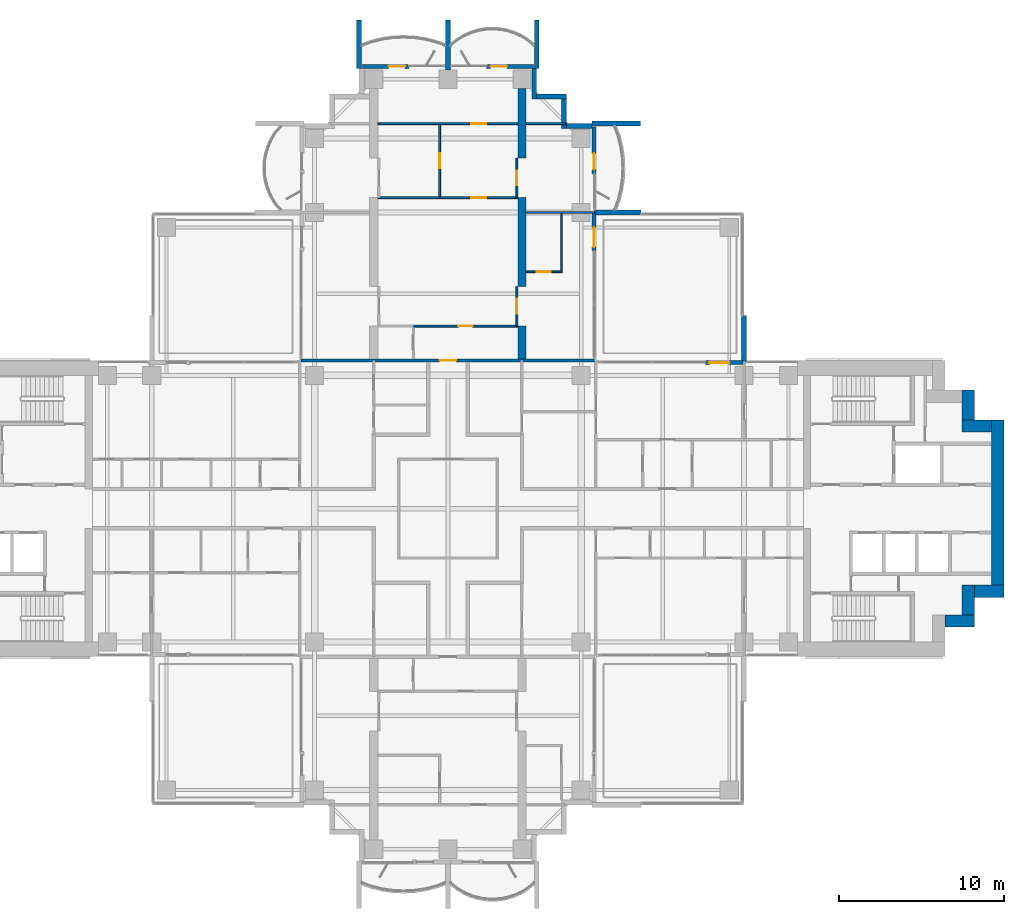
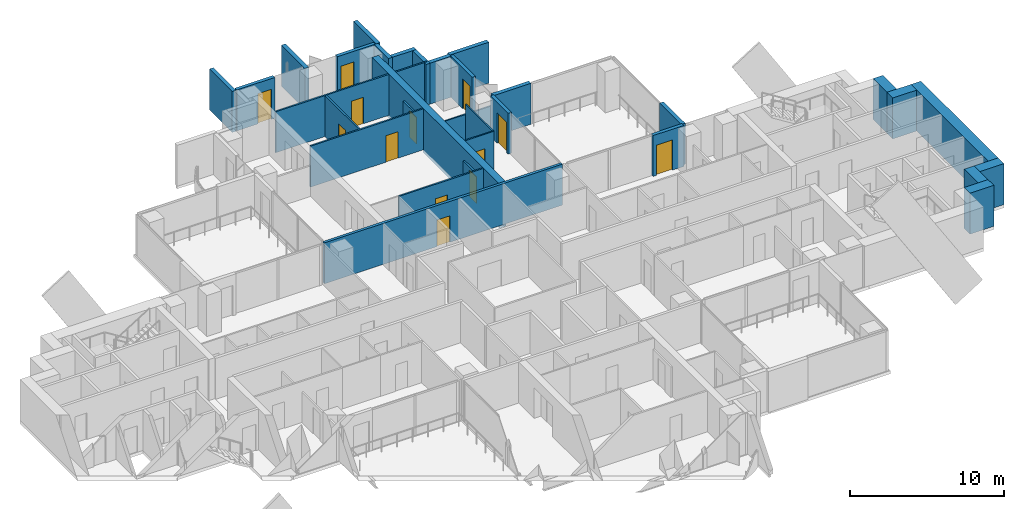
# One storey, part 14 of 19: 34 walls, 13 doors, 13 openings.
"""IFC4 building model written with IfcOpenShell, lengths in metres."""

from ifc_helpers import new_model, si_unit, direction, frame, frame_2d, origin, place, context, subcontext, project, spatial, polyline, rectangle, outline, extrude, material, layer, layer_set, material_profile, profile_set, type_object, element, fill, save


model = new_model("IFC4")

# Units and contexts
model_context = context("Model", 3, precision=1e-05, world=origin(), true_north=direction((0.0, 1.0)))
body_context = subcontext(model_context, "Body", "Model", "MODEL_VIEW")
ifc_project = project(units=[si_unit("LENGTHUNIT", "METRE"), si_unit("AREAUNIT", "SQUARE_METRE"), si_unit("VOLUMEUNIT", "CUBIC_METRE"), si_unit("PLANEANGLEUNIT", "RADIAN"), si_unit("MASSUNIT", "GRAM", prefix="KILO")], contexts=[model_context])

# Site, building, storey
site_placement = place(None, origin())
site = spatial("IfcSite", under=ifc_project, at=site_placement, CompositionType="ELEMENT")
building_placement = place(site_placement, origin())
building = spatial("IfcBuilding", under=site, at=building_placement, Name="Perihelion Cross Residences", CompositionType="ELEMENT")
storey_placement = place(building_placement, frame((0.0, 0.0, 126.89990234375)))
storey = spatial("IfcBuildingStorey", under=building, at=storey_placement, Name="L30", CompositionType="ELEMENT", Elevation=126.89990234375)

# Wall, opening, door
ifc_material_1 = material(Name="Plasterboard partition")
ifc_layer_1 = layer(ifc_material_1, 0.199951171875)
ifc_layer_set_1 = layer_set([ifc_layer_1], Name="Apartment separation wall 200")
wall_type_1 = type_object("IfcWallType", Name="Apartment separation wall 200", PredefinedType="PARTITIONING", material=ifc_layer_set_1)
wall_1_placement = place(storey_placement, frame((-8.919921875, 9.0, 0.0), z_axis=(0.0, 0.0, 1.0), x_axis=(1.0, 0.0, 0.0)))
wall_1 = element("IfcWall", 1, at=wall_1_placement, inside=storey, type_object=wall_type_1, Name="Partition L30 W021", PredefinedType="PARTITIONING", context=body_context, shape_type="SweptSolid", body=[
    extrude(rectangle(XDim=17.83984375, YDim=0.199951171875, at=frame_2d((8.919921875, 0.0))), origin(), (0.0, 0.0, 1.0), 3.25),
])
opening_1_placement = place(wall_1_placement, frame((8.419921875, 0.0, 0.0)))
opening_1 = element("IfcOpeningElement", 2, at=opening_1_placement, cuts=wall_1, Name="Opening L30.A32", PredefinedType="OPENING", context=body_context, shape_type="SweptSolid", body=[
    extrude(rectangle(XDim=1.0, YDim=2.10009765625, at=frame_2d((0.5, 1.050048828125))), frame((0.0, 0.10986328125, 0.0), z_axis=(0.0, -1.0, 0.0), x_axis=(1.0, 0.0, 0.0)), (0.0, 0.0, 1.0), 0.219970703125),
])
ifc_material_2 = material(Name="Timber door leaf", Category="wood")
door_type_1 = type_object("IfcDoorType", Name="Flat entrance door 1000 x 2100", OperationType="SINGLE_SWING_LEFT", PredefinedType="DOOR", material=ifc_material_2)
door_1_placement = place(opening_1_placement, origin())
door_1 = element("IfcDoor", 3, at=door_1_placement, inside=storey, type_object=door_type_1, Name="Door L30.A32", OperationType="SINGLE_SWING_RIGHT", OverallHeight=2.10009765625, OverallWidth=1.0, PredefinedType="DOOR", context=body_context, shape_type="SweptSolid", body=[
    extrude(rectangle(XDim=1.0, YDim=2.10009765625, at=frame_2d((0.5, 1.050048828125))), frame((0.0, 0.02490234375, 0.0), z_axis=(0.0, -1.0, 0.0), x_axis=(1.0, 0.0, 0.0)), (0.0, 0.0, 1.0), 0.050048828125),
])
fill(opening_1, door_1)

ifc_material_3 = material(Name="Concrete C30/37, bronze-clad", Category="concrete")
ifc_layer_2 = layer(ifc_material_3, 0.25)
ifc_layer_set_2 = layer_set([ifc_layer_2], Name="Bronze-clad pier wall 250")
wall_type_2 = type_object("IfcWallType", Name="Bronze-clad pier wall 250", PredefinedType="SOLIDWALL", material=ifc_layer_set_2)
wall_2_placement = place(storey_placement, frame((17.93994140625, 8.875, 0.0), z_axis=(0.0, 0.0, 1.0), x_axis=(-1.0, 0.0, 0.0)))
wall_2 = element("IfcWall", 4, at=wall_2_placement, inside=storey, type_object=wall_type_2, Name="Wall FW1 L30 east side north bay 2 pier", PredefinedType="SOLIDWALL", context=body_context, shape_type="SweptSolid", body=[
    extrude(rectangle(XDim=2.2900390625, YDim=0.25, at=frame_2d((1.14501953125, 0.0))), origin(), (0.0, 0.0, 1.0), 3.25),
])
opening_2_placement = place(wall_2_placement, frame((0.840087890625, 0.0, 0.0)))
opening_2 = element("IfcOpeningElement", 5, at=opening_2_placement, cuts=wall_2, Name="Opening L30.E01", PredefinedType="OPENING", context=body_context, shape_type="SweptSolid", body=[
    extrude(rectangle(XDim=1.199951171875, YDim=2.39990234375, at=frame_2d((0.60009765625, 1.199951171875))), frame((0.0, 0.135009765625, 0.0), z_axis=(0.0, -1.0, 0.0), x_axis=(1.0, 0.0, 0.0)), (0.0, 0.0, 1.0), 0.27001953125),
])
ifc_material_4 = material(Name="Bronze anodised aluminium, glazed", Category="aluminium")
door_type_2 = type_object("IfcDoorType", Name="Balcony door 1200 x 2400", OperationType="NOTDEFINED", PredefinedType="DOOR", material=ifc_material_4)
door_2_placement = place(opening_2_placement, origin())
door_2 = element("IfcDoor", 6, at=door_2_placement, inside=storey, type_object=door_type_2, Name="Door L30.E01 east side north bay 2", OperationType="SINGLE_SWING_RIGHT", OverallHeight=2.39990234375, OverallWidth=1.199951171875, PredefinedType="DOOR", context=body_context, shape_type="SweptSolid", body=[
    extrude(rectangle(XDim=1.199951171875, YDim=2.39990234375, at=frame_2d((0.60009765625, 1.199951171875))), frame((0.0, 0.02490234375, 0.0), z_axis=(0.0, -1.0, 0.0), x_axis=(1.0, 0.0, 0.0)), (0.0, 0.0, 1.0), 0.050048828125),
])
fill(opening_2, door_2)

wall_3_placement = place(storey_placement, frame((8.875, 15.64990234375, 0.0), z_axis=(0.0, 0.0, 1.0), x_axis=(0.0, 1.0, 0.0)))
wall_3 = element("IfcWall", 7, at=wall_3_placement, inside=storey, type_object=wall_type_2, Name="Wall FW1 L30 north side east bay 1 pier", PredefinedType="SOLIDWALL", context=body_context, shape_type="SweptSolid", body=[
    extrude(rectangle(XDim=2.2900390625, YDim=0.25, at=frame_2d((1.14501953125, 0.0))), origin(), (0.0, 0.0, 1.0), 3.25),
])
opening_3_placement = place(wall_3_placement, frame((0.25, 0.0, 0.0)))
opening_3 = element("IfcOpeningElement", 8, at=opening_3_placement, cuts=wall_3, Name="Opening L30.E02", PredefinedType="OPENING", context=body_context, shape_type="SweptSolid", body=[
    extrude(rectangle(XDim=1.199951171875, YDim=2.39990234375, at=frame_2d((0.60009765625, 1.199951171875))), frame((0.0, 0.135009765625, 0.0), z_axis=(0.0, -1.0, 0.0), x_axis=(1.0, 0.0, 0.0)), (0.0, 0.0, 1.0), 0.27001953125),
])
door_3_placement = place(opening_3_placement, origin())
door_3 = element("IfcDoor", 9, at=door_3_placement, inside=storey, type_object=door_type_2, Name="Door L30.E02 north side east bay 1", OperationType="SINGLE_SWING_LEFT", OverallHeight=2.39990234375, OverallWidth=1.199951171875, PredefinedType="DOOR", context=body_context, shape_type="SweptSolid", body=[
    extrude(rectangle(XDim=1.199951171875, YDim=2.39990234375, at=frame_2d((0.60009765625, 1.199951171875))), frame((0.0, 0.02490234375, 0.0), z_axis=(0.0, -1.0, 0.0), x_axis=(1.0, 0.0, 0.0)), (0.0, 0.0, 1.0), 0.050048828125),
])
fill(opening_3, door_3)

wall_4_placement = place(storey_placement, frame((8.875, 20.35009765625, 0.0), z_axis=(0.0, 0.0, 1.0), x_axis=(0.0, 1.0, 0.0)))
wall_4 = element("IfcWall", 10, at=wall_4_placement, inside=storey, type_object=wall_type_2, Name="Wall FW1 L30 north side east bay 2 pier", PredefinedType="SOLIDWALL", context=body_context, shape_type="SweptSolid", body=[
    extrude(rectangle(XDim=2.849853515625, YDim=0.25, at=frame_2d((1.4248046875, 0.0))), origin(), (0.0, 0.0, 1.0), 3.25),
])
opening_4_placement = place(wall_4_placement, frame((0.25, 0.0, 0.0)))
opening_4 = element("IfcOpeningElement", 11, at=opening_4_placement, cuts=wall_4, Name="Opening L30.E03", PredefinedType="OPENING", context=body_context, shape_type="SweptSolid", body=[
    extrude(rectangle(XDim=1.0, YDim=2.39990234375, at=frame_2d((0.5, 1.199951171875))), frame((0.0, 0.135009765625, 0.0), z_axis=(0.0, -1.0, 0.0), x_axis=(1.0, 0.0, 0.0)), (0.0, 0.0, 1.0), 0.27001953125),
])
ifc_material_5 = material(Name="Bronze anodised aluminium, glazed", Category="aluminium")
door_type_3 = type_object("IfcDoorType", Name="Balcony door 1000 x 2400", OperationType="NOTDEFINED", PredefinedType="DOOR", material=ifc_material_5)
door_4_placement = place(opening_4_placement, origin())
door_4 = element("IfcDoor", 12, at=door_4_placement, inside=storey, type_object=door_type_3, Name="Door L30.E03 north side east bay 2", OperationType="SINGLE_SWING_RIGHT", OverallHeight=2.39990234375, OverallWidth=1.0, PredefinedType="DOOR", context=body_context, shape_type="SweptSolid", body=[
    extrude(rectangle(XDim=1.0, YDim=2.39990234375, at=frame_2d((0.5, 1.199951171875))), frame((0.0, 0.02490234375, 0.0), z_axis=(0.0, -1.0, 0.0), x_axis=(1.0, 0.0, 0.0)), (0.0, 0.0, 1.0), 0.050048828125),
])
fill(opening_4, door_4)

wall_5_placement = place(storey_placement, frame((5.199951171875, 26.875, 0.0), z_axis=(0.0, 0.0, 1.0), x_axis=(-1.0, 0.0, 0.0)))
wall_5 = element("IfcWall", 13, at=wall_5_placement, inside=storey, type_object=wall_type_2, Name="Wall FW1 L30 north tip north bay 1 pier", PredefinedType="SOLIDWALL", context=body_context, shape_type="SweptSolid", body=[
    extrude(rectangle(XDim=2.849853515625, YDim=0.25, at=frame_2d((1.4248046875, 0.0))), origin(), (0.0, 0.0, 1.0), 3.25),
])
opening_5_placement = place(wall_5_placement, frame((1.60009765625, 0.0, 0.0)))
opening_5 = element("IfcOpeningElement", 14, at=opening_5_placement, cuts=wall_5, Name="Opening L30.E04", PredefinedType="OPENING", context=body_context, shape_type="SweptSolid", body=[
    extrude(rectangle(XDim=1.0, YDim=2.39990234375, at=frame_2d((0.5, 1.199951171875))), frame((0.0, 0.135009765625, 0.0), z_axis=(0.0, -1.0, 0.0), x_axis=(1.0, 0.0, 0.0)), (0.0, 0.0, 1.0), 0.27001953125),
])
door_5_placement = place(opening_5_placement, origin())
door_5 = element("IfcDoor", 15, at=door_5_placement, inside=storey, type_object=door_type_3, Name="Door L30.E04 north tip north bay 1", OperationType="SINGLE_SWING_LEFT", OverallHeight=2.39990234375, OverallWidth=1.0, PredefinedType="DOOR", context=body_context, shape_type="SweptSolid", body=[
    extrude(rectangle(XDim=1.0, YDim=2.39990234375, at=frame_2d((0.5, 1.199951171875))), frame((0.0, 0.02490234375, 0.0), z_axis=(0.0, -1.0, 0.0), x_axis=(1.0, 0.0, 0.0)), (0.0, 0.0, 1.0), 0.050048828125),
])
fill(opening_5, door_5)

wall_6_placement = place(storey_placement, frame((-2.35009765625, 26.875, 0.0), z_axis=(0.0, 0.0, 1.0), x_axis=(-1.0, 0.0, 0.0)))
wall_6 = element("IfcWall", 16, at=wall_6_placement, inside=storey, type_object=wall_type_2, Name="Wall FW1 L30 north tip north bay 2 pier", PredefinedType="SOLIDWALL", context=body_context, shape_type="SweptSolid", body=[
    extrude(rectangle(XDim=2.849853515625, YDim=0.25, at=frame_2d((1.4248046875, 0.0))), origin(), (0.0, 0.0, 1.0), 3.25),
])
opening_6_placement = place(wall_6_placement, frame((0.25, 0.0, 0.0)))
opening_6 = element("IfcOpeningElement", 17, at=opening_6_placement, cuts=wall_6, Name="Opening L30.E05", PredefinedType="OPENING", context=body_context, shape_type="SweptSolid", body=[
    extrude(rectangle(XDim=1.0, YDim=2.39990234375, at=frame_2d((0.5, 1.199951171875))), frame((0.0, 0.135009765625, 0.0), z_axis=(0.0, -1.0, 0.0), x_axis=(1.0, 0.0, 0.0)), (0.0, 0.0, 1.0), 0.27001953125),
])
door_6_placement = place(opening_6_placement, origin())
door_6 = element("IfcDoor", 18, at=door_6_placement, inside=storey, type_object=door_type_3, Name="Door L30.E05 north tip north bay 2", OperationType="SINGLE_SWING_RIGHT", OverallHeight=2.39990234375, OverallWidth=1.0, PredefinedType="DOOR", context=body_context, shape_type="SweptSolid", body=[
    extrude(rectangle(XDim=1.0, YDim=2.39990234375, at=frame_2d((0.5, 1.199951171875))), frame((0.0, 0.02490234375, 0.0), z_axis=(0.0, -1.0, 0.0), x_axis=(1.0, 0.0, 0.0)), (0.0, 0.0, 1.0), 0.050048828125),
])
fill(opening_6, door_6)

# Walls
ifc_material_6 = material(Name="Concrete C30/37, bronze-clad", Category="concrete")
ifc_layer_3 = layer(ifc_material_6, 0.300048828125)
ifc_layer_set_3 = layer_set([ifc_layer_3], Name="Bronze-clad serration wall 300")
wall_type_3 = type_object("IfcWallType", Name="Bronze-clad serration wall 300", PredefinedType="SOLIDWALL", material=ifc_layer_set_3)
wall_7_placement = place(storey_placement, frame((8.75, 23.25, 0.0), z_axis=(0.0, 0.0, 1.0), x_axis=(-1.0, 0.0, 0.0)))
element("IfcWall", 19, at=wall_7_placement, inside=storey, type_object=wall_type_3, Name="Wall SR1 L30 north corner north-east 1", PredefinedType="SOLIDWALL", context=body_context, shape_type="SweptSolid", body=[
    extrude(rectangle(XDim=1.550048828125, YDim=0.300048828125, at=frame_2d((0.77490234375, 0.0))), origin(), (0.0, 0.0, 1.0), 3.25),
])
wall_8_placement = place(storey_placement, frame((7.050048828125, 23.10009765625, 0.0), z_axis=(0.0, 0.0, 1.0), x_axis=(0.0, 1.0, 0.0)))
element("IfcWall", 20, at=wall_8_placement, inside=storey, type_object=wall_type_3, Name="Wall SR1 L30 north corner north-east 2", PredefinedType="SOLIDWALL", context=body_context, shape_type="SweptSolid", body=[
    extrude(rectangle(XDim=1.7998046875, YDim=0.300048828125, at=frame_2d((0.89990234375, 0.0))), origin(), (0.0, 0.0, 1.0), 3.25),
])
wall_9_placement = place(storey_placement, frame((7.199951171875, 25.050048828125, 0.0), z_axis=(0.0, 0.0, 1.0), x_axis=(-1.0, 0.0, 0.0)))
element("IfcWall", 21, at=wall_9_placement, inside=storey, type_object=wall_type_3, Name="Wall SR1 L30 north corner north-east 3", PredefinedType="SOLIDWALL", context=body_context, shape_type="SweptSolid", body=[
    extrude(rectangle(XDim=1.800048828125, YDim=0.300048828125, at=frame_2d((0.89990234375, 0.0))), origin(), (0.0, 0.0, 1.0), 3.25),
])
wall_10_placement = place(storey_placement, frame((5.25, 24.89990234375, 0.0), z_axis=(0.0, 0.0, 1.0), x_axis=(0.0, 1.0, 0.0)))
element("IfcWall", 22, at=wall_10_placement, inside=storey, type_object=wall_type_3, Name="Wall SR1 L30 north corner north-east 4", PredefinedType="SOLIDWALL", context=body_context, shape_type="SweptSolid", body=[
    extrude(rectangle(XDim=1.85009765625, YDim=0.300048828125, at=frame_2d((0.925048828125, 0.0))), origin(), (0.0, 0.0, 1.0), 3.25),
])
ifc_material_7 = material(Name="Concrete C60/75", Category="concrete")
ifc_layer_4 = layer(ifc_material_7, 0.75)
ifc_layer_set_4 = layer_set([ifc_layer_4], Name="Core wall, outer 750")
wall_type_4 = type_object("IfcWallType", Name="Core wall, outer 750", PredefinedType="SHEAR", material=ifc_layer_set_4)
for number, where, z_axis, x_axis, name in (
    (23, (30.199951171875, -6.824951171875, 0.0), (0.0, 0.0, 1.0), (1.0, 0.0, 0.0), "East core core wall, outer"),
    (24, (31.625, -6.449951171875, 0.0), (0.0, 0.0, 1.0), (0.0, 1.0, 0.0), "East core core wall, outer"),
    (25, (32.0, -5.02490234375, 0.0), (0.0, 0.0, 1.0), (1.0, 0.0, 0.0), "East core core wall, outer"),
):
    element("IfcWall", number, at=place(storey_placement, frame(where, z_axis=z_axis, x_axis=x_axis)), inside=storey, type_object=wall_type_4, Name=name, PredefinedType="SHEAR", context=body_context, shape_type="SweptSolid", body=[
        extrude(rectangle(XDim=1.800048828125, YDim=0.75, at=frame_2d((0.89990234375, 0.0))), origin(), (0.0, 0.0, 1.0), 3.25),
    ])
wall_11_placement = place(storey_placement, frame((33.425048828125, -4.64990234375, 0.0), z_axis=(0.0, 0.0, 1.0), x_axis=(0.0, 1.0, 0.0)))
element("IfcWall", 26, at=wall_11_placement, inside=storey, type_object=wall_type_4, Name="East core core wall, outer", PredefinedType="SHEAR", context=body_context, shape_type="SweptSolid", body=[
    extrude(rectangle(XDim=10.0498046875, YDim=0.75, at=frame_2d((5.02490234375, 0.0))), origin(), (0.0, 0.0, 1.0), 3.25),
])
for number, where, z_axis, x_axis, name in (
    (27, (31.25, 5.02490234375, 0.0), (0.0, 0.0, 1.0), (1.0, 0.0, 0.0), "East core core wall, outer"),
    (28, (31.625, 5.39990234375, 0.0), (0.0, 0.0, 1.0), (0.0, 1.0, 0.0), "East core core wall, outer"),
):
    element("IfcWall", number, at=place(storey_placement, frame(where, z_axis=z_axis, x_axis=x_axis)), inside=storey, type_object=wall_type_4, Name=name, PredefinedType="SHEAR", context=body_context, shape_type="SweptSolid", body=[
        extrude(rectangle(XDim=1.800048828125, YDim=0.75, at=frame_2d((0.89990234375, 0.0))), origin(), (0.0, 0.0, 1.0), 3.25),
    ])

# Wall, opening, door
ifc_material_8 = material(Name="Plasterboard partition")
ifc_layer_5 = layer(ifc_material_8, 0.1201171875)
ifc_layer_set_5 = layer_set([ifc_layer_5], Name="Infill panel 120")
wall_type_5 = type_object("IfcWallType", Name="Infill panel 120", PredefinedType="PARTITIONING", material=ifc_layer_set_5)
wall_12_placement = place(storey_placement, frame((4.18994140625, 11.10009765625, 0.0), z_axis=(0.0, 0.0, 1.0), x_axis=(0.0, 1.0, 0.0)))
wall_12 = element("IfcWall", 29, at=wall_12_placement, inside=storey, type_object=wall_type_5, Name="Partition L30 WI01", PredefinedType="PARTITIONING", context=body_context, shape_type="SweptSolid", body=[
    extrude(rectangle(XDim=2.39990234375, YDim=0.1201171875, at=frame_2d((1.199951171875, 0.0))), origin(), (0.0, 0.0, 1.0), 2.400146484375),
])
opening_7_placement = place(wall_12_placement, frame((0.75, 0.0, 0.0)))
opening_7 = element("IfcOpeningElement", 30, at=opening_7_placement, cuts=wall_12, Name="Opening L30.A49", PredefinedType="OPENING", context=body_context, shape_type="SweptSolid", body=[
    extrude(rectangle(XDim=0.89990234375, YDim=2.10009765625, at=frame_2d((0.449951171875, 1.050048828125))), frame((0.0, 0.070068359375, 0.0), z_axis=(0.0, -1.0, 0.0), x_axis=(1.0, 0.0, 0.0)), (0.0, 0.0, 1.0), 0.14013671875),
])
ifc_material_9 = material(Name="Timber door leaf", Category="wood")
door_type_4 = type_object("IfcDoorType", Name="Interior room door 900 x 2100", OperationType="SINGLE_SWING_LEFT", PredefinedType="DOOR", material=ifc_material_9)
door_7_placement = place(opening_7_placement, origin())
door_7 = element("IfcDoor", 31, at=door_7_placement, inside=storey, type_object=door_type_4, Name="Door L30.A49", OperationType="SINGLE_SWING_LEFT", OverallHeight=2.10009765625, OverallWidth=0.89990234375, PredefinedType="DOOR", context=body_context, shape_type="SweptSolid", body=[
    extrude(rectangle(XDim=0.89990234375, YDim=2.10009765625, at=frame_2d((0.449951171875, 1.050048828125))), frame((0.0, 0.02490234375, 0.0), z_axis=(0.0, -1.0, 0.0), x_axis=(1.0, 0.0, 0.0)), (0.0, 0.0, 1.0), 0.050048828125),
])
fill(opening_7, door_7)

wall_13_placement = place(storey_placement, frame((4.18994140625, 18.89990234375, 0.0), z_axis=(0.0, 0.0, 1.0), x_axis=(0.0, 1.0, 0.0)))
wall_13 = element("IfcWall", 32, at=wall_13_placement, inside=storey, type_object=wall_type_5, Name="Partition L30 WI02", PredefinedType="PARTITIONING", context=body_context, shape_type="SweptSolid", body=[
    extrude(rectangle(XDim=2.400146484375, YDim=0.1201171875, at=frame_2d((1.2001953125, 0.0))), origin(), (0.0, 0.0, 1.0), 2.400146484375),
])
opening_8_placement = place(wall_13_placement, frame((0.75, 0.0, 0.0)))
opening_8 = element("IfcOpeningElement", 33, at=opening_8_placement, cuts=wall_13, Name="Opening L30.A50", PredefinedType="OPENING", context=body_context, shape_type="SweptSolid", body=[
    extrude(rectangle(XDim=0.89990234375, YDim=2.10009765625, at=frame_2d((0.449951171875, 1.050048828125))), frame((0.0, 0.070068359375, 0.0), z_axis=(0.0, -1.0, 0.0), x_axis=(1.0, 0.0, 0.0)), (0.0, 0.0, 1.0), 0.14013671875),
])
door_8_placement = place(opening_8_placement, origin())
door_8 = element("IfcDoor", 34, at=door_8_placement, inside=storey, type_object=door_type_4, Name="Door L30.A50", OperationType="SINGLE_SWING_RIGHT", OverallHeight=2.10009765625, OverallWidth=0.89990234375, PredefinedType="DOOR", context=body_context, shape_type="SweptSolid", body=[
    extrude(rectangle(XDim=0.89990234375, YDim=2.10009765625, at=frame_2d((0.449951171875, 1.050048828125))), frame((0.0, 0.02490234375, 0.0), z_axis=(0.0, -1.0, 0.0), x_axis=(1.0, 0.0, 0.0)), (0.0, 0.0, 1.0), 0.050048828125),
])
fill(opening_8, door_8)

ifc_material_10 = material(Name="Plasterboard partition")
ifc_layer_6 = layer(ifc_material_10, 0.1201171875)
ifc_layer_set_6 = layer_set([ifc_layer_6], Name="Partition wall 120")
wall_type_6 = type_object("IfcWallType", Name="Partition wall 120", PredefinedType="PARTITIONING", material=ifc_layer_set_6)
wall_14_placement = place(storey_placement, frame((-2.10009765625, 11.10009765625, 0.0), z_axis=(0.0, 0.0, 1.0), x_axis=(1.0, 0.0, 0.0)))
wall_14 = element("IfcWall", 35, at=wall_14_placement, inside=storey, type_object=wall_type_6, Name="Partition L30 W062", PredefinedType="PARTITIONING", context=body_context, shape_type="SweptSolid", body=[
    extrude(rectangle(XDim=6.35009765625, YDim=0.1201171875, at=frame_2d((3.175048828125, 0.0))), origin(), (0.0, 0.0, 1.0), 3.25),
])
opening_9_placement = place(wall_14_placement, frame((2.72509765625, 0.0, 0.0)))
opening_9 = element("IfcOpeningElement", 36, at=opening_9_placement, cuts=wall_14, Name="Opening L30.A34", PredefinedType="OPENING", context=body_context, shape_type="SweptSolid", body=[
    extrude(rectangle(XDim=0.89990234375, YDim=2.10009765625, at=frame_2d((0.449951171875, 1.050048828125))), frame((0.0, 0.070068359375, 0.0), z_axis=(0.0, -1.0, 0.0), x_axis=(1.0, 0.0, 0.0)), (0.0, 0.0, 1.0), 0.14013671875),
])
door_9_placement = place(opening_9_placement, origin())
door_9 = element("IfcDoor", 37, at=door_9_placement, inside=storey, type_object=door_type_4, Name="Door L30.A34", OperationType="SINGLE_SWING_RIGHT", OverallHeight=2.10009765625, OverallWidth=0.89990234375, PredefinedType="DOOR", context=body_context, shape_type="SweptSolid", body=[
    extrude(rectangle(XDim=0.89990234375, YDim=2.10009765625, at=frame_2d((0.449951171875, 1.050048828125))), frame((0.0, 0.02490234375, 0.0), z_axis=(0.0, -1.0, 0.0), x_axis=(1.0, 0.0, 0.0)), (0.0, 0.0, 1.0), 0.050048828125),
])
fill(opening_9, door_9)

wall_15_placement = place(storey_placement, frame((-4.25, 18.89990234375, 0.0), z_axis=(0.0, 0.0, 1.0), x_axis=(1.0, 0.0, 0.0)))
wall_15 = element("IfcWall", 38, at=wall_15_placement, inside=storey, type_object=wall_type_6, Name="Partition L30 W064", PredefinedType="PARTITIONING", context=body_context, shape_type="SweptSolid", body=[
    extrude(rectangle(XDim=8.5, YDim=0.1201171875, at=frame_2d((4.25, 0.0))), origin(), (0.0, 0.0, 1.0), 3.25),
])
opening_10_placement = place(wall_15_placement, frame((5.675048828125, 0.0, 0.0)))
opening_10 = element("IfcOpeningElement", 39, at=opening_10_placement, cuts=wall_15, Name="Opening L30.A35", PredefinedType="OPENING", context=body_context, shape_type="SweptSolid", body=[
    extrude(rectangle(XDim=0.89990234375, YDim=2.10009765625, at=frame_2d((0.449951171875, 1.050048828125))), frame((0.0, 0.070068359375, 0.0), z_axis=(0.0, -1.0, 0.0), x_axis=(1.0, 0.0, 0.0)), (0.0, 0.0, 1.0), 0.14013671875),
])
door_10_placement = place(opening_10_placement, origin())
door_10 = element("IfcDoor", 40, at=door_10_placement, inside=storey, type_object=door_type_4, Name="Door L30.A35", OperationType="SINGLE_SWING_RIGHT", OverallHeight=2.10009765625, OverallWidth=0.89990234375, PredefinedType="DOOR", context=body_context, shape_type="SweptSolid", body=[
    extrude(rectangle(XDim=0.89990234375, YDim=2.10009765625, at=frame_2d((0.449951171875, 1.050048828125))), frame((0.0, 0.02490234375, 0.0), z_axis=(0.0, -1.0, 0.0), x_axis=(1.0, 0.0, 0.0)), (0.0, 0.0, 1.0), 0.050048828125),
])
fill(opening_10, door_10)

wall_16_placement = place(storey_placement, frame((-0.5, 18.9599609375, 0.0), z_axis=(0.0, 0.0, 1.0), x_axis=(0.0, 1.0, 0.0)))
wall_16 = element("IfcWall", 41, at=wall_16_placement, inside=storey, type_object=wall_type_6, Name="Partition L30 W065", PredefinedType="PARTITIONING", context=body_context, shape_type="SweptSolid", body=[
    extrude(rectangle(XDim=4.380126953125, YDim=0.1201171875, at=frame_2d((2.18994140625, 0.0))), origin(), (0.0, 0.0, 1.0), 3.25),
])
opening_11_placement = place(wall_16_placement, frame((1.739990234375, 0.0, 0.0)))
opening_11 = element("IfcOpeningElement", 42, at=opening_11_placement, cuts=wall_16, Name="Opening L30.A36", PredefinedType="OPENING", context=body_context, shape_type="SweptSolid", body=[
    extrude(rectangle(XDim=0.89990234375, YDim=2.10009765625, at=frame_2d((0.449951171875, 1.050048828125))), frame((0.0, 0.070068359375, 0.0), z_axis=(0.0, -1.0, 0.0), x_axis=(1.0, 0.0, 0.0)), (0.0, 0.0, 1.0), 0.14013671875),
])
door_11_placement = place(opening_11_placement, origin())
door_11 = element("IfcDoor", 43, at=door_11_placement, inside=storey, type_object=door_type_4, Name="Door L30.A36", OperationType="SINGLE_SWING_RIGHT", OverallHeight=2.10009765625, OverallWidth=0.89990234375, PredefinedType="DOOR", context=body_context, shape_type="SweptSolid", body=[
    extrude(rectangle(XDim=0.89990234375, YDim=2.10009765625, at=frame_2d((0.449951171875, 1.050048828125))), frame((0.0, 0.02490234375, 0.0), z_axis=(0.0, -1.0, 0.0), x_axis=(1.0, 0.0, 0.0)), (0.0, 0.0, 1.0), 0.050048828125),
])
fill(opening_11, door_11)

wall_17_placement = place(storey_placement, frame((-4.25, 23.39990234375, 0.0), z_axis=(0.0, 0.0, 1.0), x_axis=(1.0, 0.0, 0.0)))
wall_17 = element("IfcWall", 44, at=wall_17_placement, inside=storey, type_object=wall_type_6, Name="Partition L30 W066", PredefinedType="PARTITIONING", context=body_context, shape_type="SweptSolid", body=[
    extrude(rectangle(XDim=8.5, YDim=0.1201171875, at=frame_2d((4.25, 0.0))), origin(), (0.0, 0.0, 1.0), 3.25),
])
opening_12_placement = place(wall_17_placement, frame((5.675048828125, 0.0, 0.0)))
opening_12 = element("IfcOpeningElement", 45, at=opening_12_placement, cuts=wall_17, Name="Opening L30.A37", PredefinedType="OPENING", context=body_context, shape_type="SweptSolid", body=[
    extrude(rectangle(XDim=0.89990234375, YDim=2.10009765625, at=frame_2d((0.449951171875, 1.050048828125))), frame((0.0, 0.070068359375, 0.0), z_axis=(0.0, -1.0, 0.0), x_axis=(1.0, 0.0, 0.0)), (0.0, 0.0, 1.0), 0.14013671875),
])
door_12_placement = place(opening_12_placement, origin())
door_12 = element("IfcDoor", 46, at=door_12_placement, inside=storey, type_object=door_type_4, Name="Door L30.A37", OperationType="SINGLE_SWING_LEFT", OverallHeight=2.10009765625, OverallWidth=0.89990234375, PredefinedType="DOOR", context=body_context, shape_type="SweptSolid", body=[
    extrude(rectangle(XDim=0.89990234375, YDim=2.10009765625, at=frame_2d((0.449951171875, 1.050048828125))), frame((0.0, 0.02490234375, 0.0), z_axis=(0.0, -1.0, 0.0), x_axis=(1.0, 0.0, 0.0)), (0.0, 0.0, 1.0), 0.050048828125),
])
fill(opening_12, door_12)

# Walls
wall_18_placement = place(storey_placement, frame((6.89990234375, 18.0, 0.0), z_axis=(0.0, 0.0, 1.0), x_axis=(1.0, 0.0, 0.0)))
element("IfcWall", 47, at=wall_18_placement, inside=storey, type_object=wall_type_6, Name="Partition L30 W069", PredefinedType="PARTITIONING", context=body_context, shape_type="SweptSolid", body=[
    extrude(rectangle(XDim=2.02001953125, YDim=0.1201171875, at=frame_2d((1.010009765625, 0.0))), origin(), (0.0, 0.0, 1.0), 2.4140625),
])
wall_19_placement = place(storey_placement, frame((4.75, 23.39990234375, 0.0), z_axis=(0.0, 0.0, 1.0), x_axis=(1.0, 0.0, 0.0)))
element("IfcWall", 48, at=wall_19_placement, inside=storey, type_object=wall_type_6, Name="Partition L30 W071", PredefinedType="PARTITIONING", context=body_context, shape_type="SweptSolid", body=[
    extrude(rectangle(XDim=2.3701171875, YDim=0.1201171875, at=frame_2d((1.18505859375, 0.0))), origin(), (0.0, 0.0, 1.0), 3.25),
])
ifc_material_11 = material(Name="Precast concrete C50/60", Category="concrete")
ifc_layer_7 = layer(ifc_material_11, 0.300048828125)
ifc_layer_set_7 = layer_set([ifc_layer_7], Name="Precast concrete C50/60 blade wall 300")
wall_type_7 = type_object("IfcWallType", Name="Precast concrete C50/60 blade wall 300", PredefinedType="SOLIDWALL", material=ifc_layer_set_7)
wall_20_placement = place(storey_placement, frame((-5.39990234375, 26.75, 0.0), z_axis=(0.0, 0.0, 1.0), x_axis=(0.0, 1.0, 0.0)))
element("IfcWall", 49, at=wall_20_placement, inside=storey, type_object=wall_type_7, Name="Wall BL1 L30 no. 4", PredefinedType="SOLIDWALL", context=body_context, shape_type="SweptSolid", body=[
    extrude(rectangle(XDim=2.949951171875, YDim=0.300048828125, at=frame_2d((1.47509765625, 0.0))), origin(), (0.0, 0.0, 1.0), 3.25),
])
wall_21_placement = place(storey_placement, frame((0.0, 26.64990234375, 0.0), z_axis=(0.0, 0.0, 1.0), x_axis=(0.0, 1.0, 0.0)))
element("IfcWall", 50, at=wall_21_placement, inside=storey, type_object=wall_type_7, Name="Wall BL1 L30 no. 9", PredefinedType="SOLIDWALL", context=body_context, shape_type="SweptSolid", body=[
    extrude(rectangle(XDim=3.050048828125, YDim=0.300048828125, at=frame_2d((1.52490234375, 0.0))), origin(), (0.0, 0.0, 1.0), 3.25),
])
wall_22_placement = place(storey_placement, frame((5.39990234375, 26.75, 0.0), z_axis=(0.0, 0.0, 1.0), x_axis=(0.0, 1.0, 0.0)))
element("IfcWall", 51, at=wall_22_placement, inside=storey, type_object=wall_type_7, Name="Wall BL1 L30 no. 13", PredefinedType="SOLIDWALL", context=body_context, shape_type="SweptSolid", body=[
    extrude(rectangle(XDim=2.949951171875, YDim=0.300048828125, at=frame_2d((1.47509765625, 0.0))), origin(), (0.0, 0.0, 1.0), 3.25),
])
wall_23_placement = place(storey_placement, frame((8.919921875, 18.0, 0.0), z_axis=(0.0, 0.0, 1.0), x_axis=(1.0, 0.0, 0.0)))
element("IfcWall", 52, at=wall_23_placement, inside=storey, type_object=wall_type_7, Name="Wall BL1 L30 no. 15", PredefinedType="SOLIDWALL", context=body_context, shape_type="SweptSolid", body=[
    extrude(rectangle(XDim=2.820068359375, YDim=0.300048828125, at=frame_2d((1.41015625, 0.0))), origin(), (0.0, 0.0, 1.0), 3.25),
])
wall_24_placement = place(storey_placement, frame((8.75, 23.39990234375, 0.0), z_axis=(0.0, 0.0, 1.0), x_axis=(1.0, 0.0, 0.0)))
element("IfcWall", 53, at=wall_24_placement, inside=storey, type_object=wall_type_7, Name="Wall BL1 L30 no. 16", PredefinedType="SOLIDWALL", context=body_context, shape_type="SweptSolid", body=[
    extrude(rectangle(XDim=2.949951171875, YDim=0.300048828125, at=frame_2d((1.47509765625, 0.0))), origin(), (0.0, 0.0, 1.0), 3.25),
])
wall_25_placement = place(storey_placement, frame((18.0, 8.919921875, 0.0), z_axis=(0.0, 0.0, 1.0), x_axis=(0.0, 1.0, 0.0)))
element("IfcWall", 54, at=wall_25_placement, inside=storey, type_object=wall_type_7, Name="Wall BL1 L30 no. 11", PredefinedType="SOLIDWALL", context=body_context, shape_type="SweptSolid", body=[
    extrude(rectangle(XDim=2.820068359375, YDim=0.300048828125, at=frame_2d((1.41015625, 0.0))), origin(), (0.0, 0.0, 1.0), 3.25),
])
ifc_material_12 = material(Name="Concrete C60/75", Category="concrete")
ifc_material_profile = material_profile(ifc_material_12, outline(polyline([(0.0, 0.0), (2.10009765625, 0.0), (2.10009765625, 2.64990234375), (4.5, 2.64990234375), (4.5, 0.0), (9.89990234375, 0.0), (9.89990234375, 2.64990234375), (12.300048828125, 2.64990234375), (12.300048828125, 0.0), (16.550048828125, 0.0), (16.550048828125, 3.5), (0.0, 3.5), (0.0, 0.0)])), Name="Tip spine wall")
ifc_profile_set = profile_set([ifc_material_profile], Name="Concrete C60/75")
wall_type_8 = type_object("IfcWallType", Name="Tip spine wall 500 with 2 door openings 16550 long 3500 high concrete C60/75", PredefinedType="SHEAR", material=ifc_profile_set)
wall_26_placement = place(storey_placement, frame((4.25, 9.0, -0.25), z_axis=(1.0, 0.0, 0.0), x_axis=(0.0, 1.0, 0.0)))
element("IfcWall", 55, at=wall_26_placement, inside=storey, type_object=wall_type_8, Name="Shear wall SW34 L30 north east", PredefinedType="SHEAR", context=body_context, shape_type="SweptSolid", body=[
    extrude(outline(polyline([(0.0, 0.0), (2.10009765625, 0.0), (2.10009765625, 2.64990234375), (4.5, 2.64990234375), (4.5, 0.0), (9.89990234375, 0.0), (9.89990234375, 2.64990234375), (12.300048828125, 2.64990234375), (12.300048828125, 0.0), (16.550048828125, 0.0), (16.550048828125, 3.5), (0.0, 3.5), (0.0, 0.0)])), origin(), (0.0, 0.0, 1.0), 0.5),
])

# Wall, opening, door
ifc_material_13 = material(Name="Plasterboard partition")
ifc_layer_8 = layer(ifc_material_13, 0.10009765625)
ifc_layer_set_8 = layer_set([ifc_layer_8], Name="Wet room wall 100")
wall_type_9 = type_object("IfcWallType", Name="Wet room wall 100", PredefinedType="PARTITIONING", material=ifc_layer_set_8)
wall_27_placement = place(storey_placement, frame((4.75, 14.39990234375, 0.0), z_axis=(0.0, 0.0, 1.0), x_axis=(1.0, 0.0, 0.0)))
wall_27 = element("IfcWall", 56, at=wall_27_placement, inside=storey, type_object=wall_type_9, Name="Partition L30 W067", PredefinedType="PARTITIONING", context=body_context, shape_type="SweptSolid", body=[
    extrude(rectangle(XDim=2.199951171875, YDim=0.10009765625, at=frame_2d((1.10009765625, 0.0))), origin(), (0.0, 0.0, 1.0), 3.25),
])
opening_13_placement = place(wall_27_placement, frame((0.64990234375, 0.0, 0.0)))
opening_13 = element("IfcOpeningElement", 57, at=opening_13_placement, cuts=wall_27, Name="Opening L30.A38", PredefinedType="OPENING", context=body_context, shape_type="SweptSolid", body=[
    extrude(rectangle(XDim=0.85009765625, YDim=2.10009765625, at=frame_2d((0.425048828125, 1.050048828125))), frame((0.0, 0.06005859375, 0.0), z_axis=(0.0, -1.0, 0.0), x_axis=(1.0, 0.0, 0.0)), (0.0, 0.0, 1.0), 0.1201171875),
])
ifc_material_14 = material(Name="Timber door leaf", Category="wood")
door_type_5 = type_object("IfcDoorType", Name="Interior bathroom door 850 x 2100", OperationType="SINGLE_SWING_LEFT", PredefinedType="DOOR", material=ifc_material_14)
door_13_placement = place(opening_13_placement, origin())
door_13 = element("IfcDoor", 58, at=door_13_placement, inside=storey, type_object=door_type_5, Name="Door L30.A38", OperationType="SINGLE_SWING_RIGHT", OverallHeight=2.10009765625, OverallWidth=0.85009765625, PredefinedType="DOOR", context=body_context, shape_type="SweptSolid", body=[
    extrude(rectangle(XDim=0.85009765625, YDim=2.10009765625, at=frame_2d((0.425048828125, 1.050048828125))), frame((0.0, 0.02490234375, 0.0), z_axis=(0.0, -1.0, 0.0), x_axis=(1.0, 0.0, 0.0)), (0.0, 0.0, 1.0), 0.050048828125),
])
fill(opening_13, door_13)

# Walls
wall_28_placement = place(storey_placement, frame((6.89990234375, 14.449951171875, 0.0), z_axis=(0.0, 0.0, 1.0), x_axis=(0.0, 1.0, 0.0)))
element("IfcWall", 59, at=wall_28_placement, inside=storey, type_object=wall_type_9, Name="Partition L30 W068", PredefinedType="PARTITIONING", context=body_context, shape_type="SweptSolid", body=[
    extrude(rectangle(XDim=3.489990234375, YDim=0.10009765625, at=frame_2d((1.7451171875, 0.0))), origin(), (0.0, 0.0, 1.0), 3.25),
])
wall_29_placement = place(storey_placement, frame((4.75, 18.0, 0.0), z_axis=(0.0, 0.0, 1.0), x_axis=(1.0, 0.0, 0.0)))
element("IfcWall", 60, at=wall_29_placement, inside=storey, type_object=wall_type_9, Name="Partition L30 W070", PredefinedType="PARTITIONING", context=body_context, shape_type="SweptSolid", body=[
    extrude(rectangle(XDim=2.14990234375, YDim=0.10009765625, at=frame_2d((1.074951171875, 0.0))), origin(), (0.0, 0.0, 1.0), 2.4140625),
])

save(model, "model.ifc")
